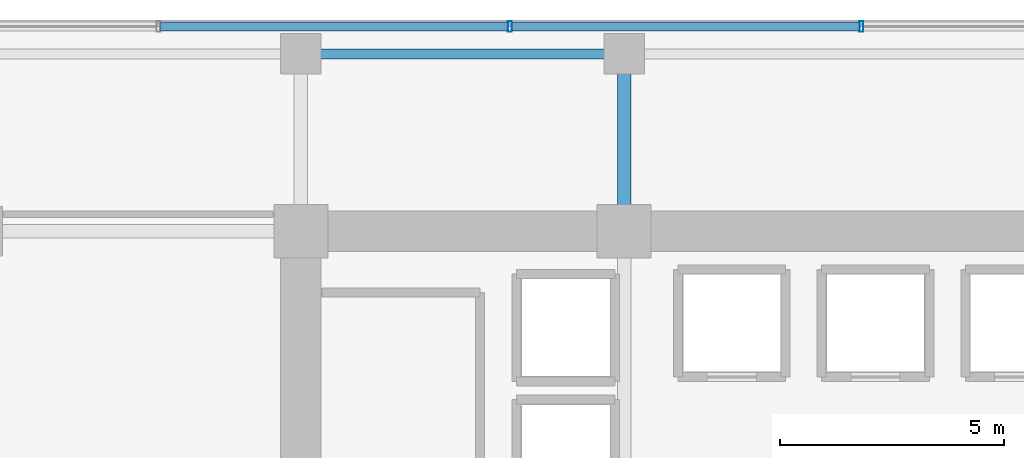
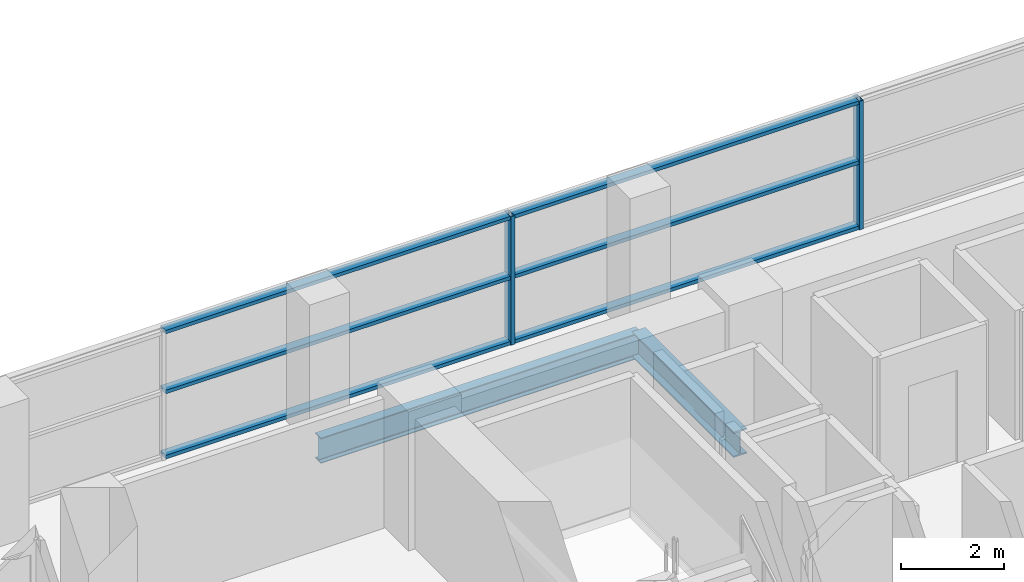
# One storey, part 19 of 31: 8 members, 2 beams, 1 element without a shape of its own.
"""IFC4 building model written with IfcOpenShell, lengths in metres."""

from ifc_helpers import new_model, si_unit, direction, frame, origin, origin_2d, place, context, subcontext, project, spatial, hollow_rectangle, i_section, extrude, source, transform, mapped, material, layer, layer_set, material_profile, profile_set, type_object, element, aggregate, save


model = new_model("IFC4")

# Units and contexts
model_context = context("Model", 3, precision=1e-05, world=origin(), true_north=direction((0.0, 1.0)))
body_context = subcontext(model_context, "Body", "Model", "MODEL_VIEW")
ifc_project = project(units=[si_unit("LENGTHUNIT", "METRE"), si_unit("AREAUNIT", "SQUARE_METRE"), si_unit("VOLUMEUNIT", "CUBIC_METRE"), si_unit("PLANEANGLEUNIT", "RADIAN"), si_unit("MASSUNIT", "GRAM", prefix="KILO")], contexts=[model_context])

# Site, building, storey
site_placement = place(None, origin())
site = spatial("IfcSite", under=ifc_project, at=site_placement, CompositionType="ELEMENT")
building_placement = place(site_placement, origin())
building = spatial("IfcBuilding", under=site, at=building_placement, Name="Zarnakvel Exchange Tower", CompositionType="ELEMENT")
storey_placement = place(building_placement, frame((0.0, 0.0, 60.39990234375)))
storey = spatial("IfcBuildingStorey", under=building, at=storey_placement, Name="L16", CompositionType="ELEMENT", Elevation=60.39990234375)

# Beams
ifc_material_1 = material(Name="Steel S355", Category="steel")
ifc_material_profile_1 = material_profile(ifc_material_1, i_section(OverallWidth=0.300048828125, OverallDepth=0.60009765625, WebThickness=0.015380859375, FlangeThickness=0.030029296875, FilletRadius=0.027099609375, at=origin_2d()))
ifc_profile_set_1 = profile_set([ifc_material_profile_1], Name="Steel S355")
beam_type_1 = type_object("IfcBeamType", Name="G-04", PredefinedType="BEAM", material=ifc_profile_set_1)
beam_1_placement = place(storey_placement, frame((-7.199951171875, 13.5, -0.52490234375), z_axis=(0.0, 1.0, 0.0), x_axis=(-1.0, 0.0, 0.0)))
element("IfcBeam", 1, at=beam_1_placement, inside=storey, type_object=beam_type_1, Name="L16 Tower N-S Frame Beam", PredefinedType="BEAM", context=body_context, shape_type="SweptSolid", body=[
    extrude(i_section(OverallWidth=0.300048828125, OverallDepth=0.60009765625, WebThickness=0.015380859375, FlangeThickness=0.030029296875, FilletRadius=0.027099609375, at=origin_2d()), origin(), (0.0, 0.0, 1.0), 3.949951171875),
])
ifc_material_profile_2 = material_profile(ifc_material_1, i_section(OverallWidth=0.219970703125, OverallDepth=0.60009765625, WebThickness=0.011962890625, FlangeThickness=0.01904296875, FilletRadius=0.02392578125, at=origin_2d()))
ifc_profile_set_2 = profile_set([ifc_material_profile_2], Name="Steel S355")
beam_type_2 = type_object("IfcBeamType", Name="SP-01", PredefinedType="SPANDREL", material=ifc_profile_set_2)
beam_2_placement = place(storey_placement, frame((-14.39990234375, 17.449951171875, -0.52490234375), z_axis=(1.0, 0.0, 0.0), x_axis=(0.0, 1.0, 0.0)))
element("IfcBeam", 2, at=beam_2_placement, inside=storey, type_object=beam_type_2, Name="L16 Tower E-W Frame Beam", PredefinedType="SPANDREL", context=body_context, shape_type="SweptSolid", body=[
    extrude(i_section(OverallWidth=0.219970703125, OverallDepth=0.60009765625, WebThickness=0.011962890625, FlangeThickness=0.01904296875, FilletRadius=0.02392578125, at=origin_2d()), origin(), (0.0, 0.0, 1.0), 7.199951171875),
])

# Curtain wall, members
ifc_material_2 = material(Name="Architectural Bronze Anodised Aluminium", Category="aluminium")
ifc_layer = layer(ifc_material_2, 0.239990234375)
ifc_layer_set = layer_set([ifc_layer], Name="Architectural Bronze Anodised Aluminium")
curtain_wall_type = type_object("IfcCurtainWallType", Name="CW-02", PredefinedType="NOTDEFINED", material=ifc_layer_set)
curtain_wall_placement = place(storey_placement, origin())
curtain_wall = element("IfcCurtainWall", 3, at=curtain_wall_placement, inside=storey, type_object=curtain_wall_type, Name="L16 Curtain Wall CW-L16-N1 (CW-02)", PredefinedType="NOTDEFINED")
ifc_material_profile_3 = material_profile(ifc_material_2, hollow_rectangle(XDim=0.239990234375, YDim=0.090087890625, WallThickness=0.006103515625, at=origin_2d()))
ifc_profile_set_3 = profile_set([ifc_material_profile_3], Name="Architectural Bronze Anodised Aluminium")
member_type_1 = type_object("IfcMemberType", Name="CWM-02", PredefinedType="MULLION", material=ifc_profile_set_3)
shared_shape_1 = source(origin(), body_context, "Body", "SweptSolid", [
    extrude(hollow_rectangle(XDim=0.239990234375, YDim=0.090087890625, WallThickness=0.006103515625, at=origin_2d()), origin(), (0.0, 0.0, 1.0), 3.05517578125),
])
member_1_placement = place(storey_placement, frame((-9.742919921875, 18.06005859375, 0.0), z_axis=(0.0, 0.0, 1.0), x_axis=(0.0, 1.0, 0.0)))
member_1 = element("IfcMember", 4, at=member_1_placement, type_object=member_type_1, Name="CW-02 mullion 3", PredefinedType="MULLION", context=body_context, shape_type="MappedRepresentation", body=[
    mapped(shared_shape_1, transform((0.0, 0.0, 0.0), x_axis=(1.0, 0.0, 0.0), y_axis=(0.0, 1.0, 0.0), z_axis=(0.0, 0.0, 1.0), scale=1.0)),
])
member_2_placement = place(storey_placement, frame((-1.914306640625, 18.06005859375, 0.0), z_axis=(0.0, 0.0, 1.0), x_axis=(0.0, 1.0, 0.0)))
member_2 = element("IfcMember", 5, at=member_2_placement, type_object=member_type_1, Name="CW-02 mullion 4", PredefinedType="MULLION", context=body_context, shape_type="MappedRepresentation", body=[
    mapped(shared_shape_1, transform((0.0, 0.0, 0.0), x_axis=(1.0, 0.0, 0.0), y_axis=(0.0, 1.0, 0.0), z_axis=(0.0, 0.0, 1.0), scale=1.0)),
])
ifc_material_profile_4 = material_profile(ifc_material_2, hollow_rectangle(XDim=0.199951171875, YDim=0.0849609375, WallThickness=0.0048828125, at=origin_2d()))
ifc_profile_set_4 = profile_set([ifc_material_profile_4], Name="Architectural Bronze Anodised Aluminium")
member_type_2 = type_object("IfcMemberType", Name="CWT-02", PredefinedType="USERDEFINED", material=ifc_profile_set_4)
shared_shape_2 = source(origin(), body_context, "Body", "SweptSolid", [
    extrude(hollow_rectangle(XDim=0.199951171875, YDim=0.0849609375, WallThickness=0.0048828125, at=origin_2d()), origin(), (0.0, 0.0, 1.0), 7.738525390625),
])
member_3_placement = place(storey_placement, frame((-17.5263671875, 18.06005859375, 0.04248046875), z_axis=(1.0, 0.0, 0.0), x_axis=(0.0, 1.0, 0.0)))
member_3 = element("IfcMember", 6, at=member_3_placement, type_object=member_type_2, Name="CW-02 transom 2.1", ObjectType="TRANSOM", PredefinedType="USERDEFINED", context=body_context, shape_type="MappedRepresentation", body=[
    mapped(shared_shape_2, transform((0.0, 0.0, 0.0), x_axis=(1.0, 0.0, 0.0), y_axis=(0.0, 1.0, 0.0), z_axis=(0.0, 0.0, 1.0), scale=1.0)),
])
member_4_placement = place(storey_placement, frame((-17.5263671875, 18.06005859375, 1.588623046875), z_axis=(1.0, 0.0, 0.0), x_axis=(0.0, 1.0, 0.0)))
member_4 = element("IfcMember", 7, at=member_4_placement, type_object=member_type_2, Name="CW-02 transom 2.2", ObjectType="TRANSOM", PredefinedType="USERDEFINED", context=body_context, shape_type="MappedRepresentation", body=[
    mapped(shared_shape_2, transform((0.0, 0.0, 0.0), x_axis=(1.0, 0.0, 0.0), y_axis=(0.0, 1.0, 0.0), z_axis=(0.0, 0.0, 1.0), scale=1.0)),
])
member_5_placement = place(storey_placement, frame((-17.5263671875, 18.06005859375, 3.0126953125), z_axis=(1.0, 0.0, 0.0), x_axis=(0.0, 1.0, 0.0)))
member_5 = element("IfcMember", 8, at=member_5_placement, type_object=member_type_2, Name="CW-02 transom 2.3", ObjectType="TRANSOM", PredefinedType="USERDEFINED", context=body_context, shape_type="MappedRepresentation", body=[
    mapped(shared_shape_2, transform((0.0, 0.0, 0.0), x_axis=(1.0, 0.0, 0.0), y_axis=(0.0, 1.0, 0.0), z_axis=(0.0, 0.0, 1.0), scale=1.0)),
])
member_6_placement = place(storey_placement, frame((-9.69775390625, 18.06005859375, 0.04248046875), z_axis=(1.0, 0.0, 0.0), x_axis=(0.0, 1.0, 0.0)))
member_6 = element("IfcMember", 9, at=member_6_placement, type_object=member_type_2, Name="CW-02 transom 3.1", ObjectType="TRANSOM", PredefinedType="USERDEFINED", context=body_context, shape_type="MappedRepresentation", body=[
    mapped(shared_shape_2, transform((0.0, 0.0, 0.0), x_axis=(1.0, 0.0, 0.0), y_axis=(0.0, 1.0, 0.0), z_axis=(0.0, 0.0, 1.0), scale=1.0)),
])
member_7_placement = place(storey_placement, frame((-9.69775390625, 18.06005859375, 1.588623046875), z_axis=(1.0, 0.0, 0.0), x_axis=(0.0, 1.0, 0.0)))
member_7 = element("IfcMember", 10, at=member_7_placement, type_object=member_type_2, Name="CW-02 transom 3.2", ObjectType="TRANSOM", PredefinedType="USERDEFINED", context=body_context, shape_type="MappedRepresentation", body=[
    mapped(shared_shape_2, transform((0.0, 0.0, 0.0), x_axis=(1.0, 0.0, 0.0), y_axis=(0.0, 1.0, 0.0), z_axis=(0.0, 0.0, 1.0), scale=1.0)),
])
member_8_placement = place(storey_placement, frame((-9.69775390625, 18.06005859375, 3.0126953125), z_axis=(1.0, 0.0, 0.0), x_axis=(0.0, 1.0, 0.0)))
member_8 = element("IfcMember", 11, at=member_8_placement, type_object=member_type_2, Name="CW-02 transom 3.3", ObjectType="TRANSOM", PredefinedType="USERDEFINED", context=body_context, shape_type="MappedRepresentation", body=[
    mapped(shared_shape_2, transform((0.0, 0.0, 0.0), x_axis=(1.0, 0.0, 0.0), y_axis=(0.0, 1.0, 0.0), z_axis=(0.0, 0.0, 1.0), scale=1.0)),
])
aggregate(curtain_wall, [member_1, member_2, member_3, member_4, member_5, member_6, member_7, member_8])

save(model, "model.ifc")
